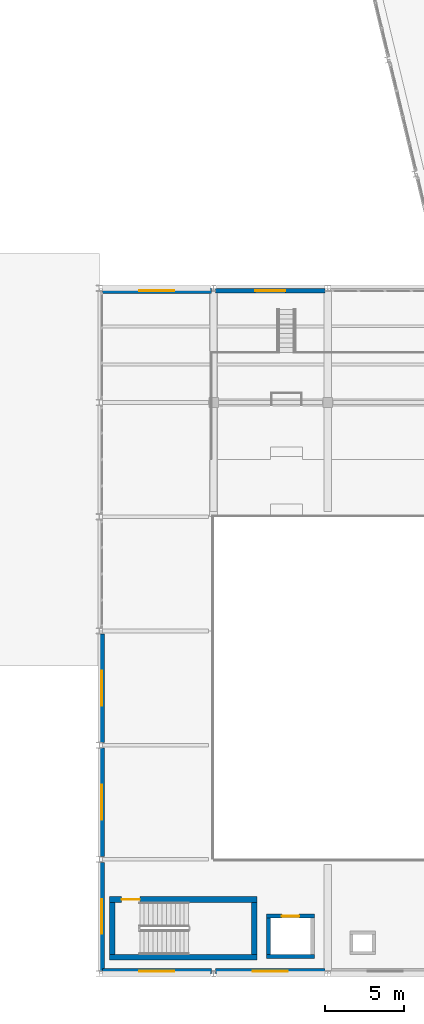
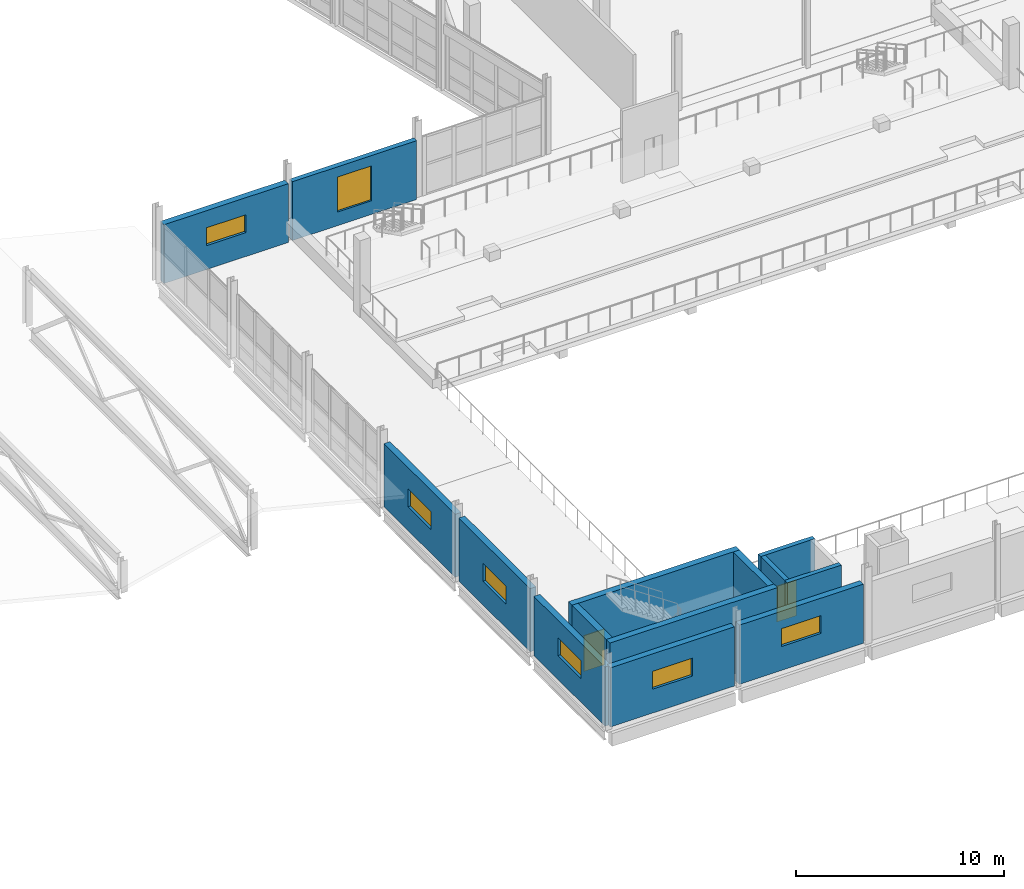
# One storey, part 92 of 123: 14 walls, 7 windows, 2 doors, 9 openings.
"""IFC4 building model written with IfcOpenShell, lengths in metres."""

from ifc_helpers import new_model, si_unit, direction, frame, frame_2d, origin, place, context, subcontext, project, spatial, rectangle, extrude, material, layer, layer_set, type_object, element, fill, save


model = new_model("IFC4")

# Units and contexts
model_context = context("Model", 3, precision=1e-05, world=origin(), true_north=direction((0.0, 1.0)))
body_context = subcontext(model_context, "Body", "Model", "MODEL_VIEW")
ifc_project = project(units=[si_unit("LENGTHUNIT", "METRE"), si_unit("AREAUNIT", "SQUARE_METRE"), si_unit("VOLUMEUNIT", "CUBIC_METRE"), si_unit("PLANEANGLEUNIT", "RADIAN"), si_unit("MASSUNIT", "GRAM", prefix="KILO")], contexts=[model_context])

# Site, building, storey
site_placement = place(None, origin())
site = spatial("IfcSite", under=ifc_project, at=site_placement, CompositionType="ELEMENT")
building_placement = place(site_placement, origin())
building = spatial("IfcBuilding", under=site, at=building_placement, Name="Kalmorath City Hall", CompositionType="ELEMENT")
storey_placement = place(building_placement, frame((0.0, 0.0, 10.199951171875)))
storey = spatial("IfcBuildingStorey", under=building, at=storey_placement, Name="L02", CompositionType="ELEMENT", Elevation=10.199951171875)

# Wall, opening, window
ifc_material_1 = material(Name="Precast concrete C40/50", Category="concrete")
ifc_layer_1 = layer(ifc_material_1, 0.340087890625)
ifc_layer_set_1 = layer_set([ifc_layer_1], Name="Precast concrete C40/50")
wall_type_1 = type_object("IfcWallType", Name="Chamber acoustic precast wall 340", PredefinedType="SOLIDWALL", material=ifc_layer_set_1)
wall_1_placement = place(storey_placement, frame((129.41455078125, 0.159912109375, 0.0), z_axis=(0.0, 0.0, 1.0), x_axis=(-1.0, 0.0, 0.0)))
wall_1 = element("IfcWall", 1, at=wall_1_placement, inside=storey, type_object=wall_type_1, Name="L02 chamber acoustic wall #464", PredefinedType="SOLIDWALL", context=body_context, shape_type="SweptSolid", body=[
    extrude(rectangle(XDim=6.885498046875, YDim=0.340087890625, at=frame_2d((3.44287109375, 0.0))), origin(), (0.0, 0.0, 1.0), 3.470947265625),
])
opening_1_placement = place(wall_1_placement, frame((2.3427734375, 0.0, 1.39990234375)))
opening_1 = element("IfcOpeningElement", 2, at=opening_1_placement, cuts=wall_1, Name="Opening WN12", PredefinedType="OPENING", context=body_context, shape_type="SweptSolid", body=[
    extrude(rectangle(XDim=2.199951171875, YDim=1.050048828125, at=frame_2d((1.10009765625, 0.52490234375))), frame((0.0, 0.179931640625, 0.0), z_axis=(0.0, -1.0, 0.0), x_axis=(1.0, 0.0, 0.0)), (0.0, 0.0, 1.0), 0.360107421875),
])
ifc_material_2 = material(Name="Acoustic laminated glass", Category="glass")
window_type_1 = type_object("IfcWindowType", Name="Chamber clerestory acoustic window 2200x1050", PartitioningType="SINGLE_PANEL", PredefinedType="WINDOW", material=ifc_material_2)
window_1_placement = place(opening_1_placement, origin())
window_1 = element("IfcWindow", 3, at=window_1_placement, inside=storey, type_object=window_type_1, Name="L02 window WN12-239", OverallHeight=1.050048828125, OverallWidth=2.199951171875, PartitioningType="SINGLE_PANEL", PredefinedType="WINDOW", context=body_context, shape_type="SweptSolid", body=[
    extrude(rectangle(XDim=2.199951171875, YDim=1.050048828125, at=frame_2d((1.10009765625, 0.52490234375))), frame((0.0, 0.030029296875, 0.0), z_axis=(0.0, -1.0, 0.0), x_axis=(1.0, 0.0, 0.0)), (0.0, 0.0, 1.0), 0.06005859375),
])
fill(opening_1, window_1)

wall_2_placement = place(storey_placement, frame((122.27099609375, 0.159912109375, 0.0), z_axis=(0.0, 0.0, 1.0), x_axis=(-1.0, 0.0, 0.0)))
wall_2 = element("IfcWall", 4, at=wall_2_placement, inside=storey, type_object=wall_type_1, Name="L02 chamber acoustic wall #465", PredefinedType="SOLIDWALL", context=body_context, shape_type="SweptSolid", body=[
    extrude(rectangle(XDim=6.885498046875, YDim=0.340087890625, at=frame_2d((3.44287109375, 0.0))), origin(), (0.0, 0.0, 1.0), 3.470947265625),
])
opening_2_placement = place(wall_2_placement, frame((2.3427734375, 0.0, 1.39990234375)))
opening_2 = element("IfcOpeningElement", 5, at=opening_2_placement, cuts=wall_2, Name="Opening WN12", PredefinedType="OPENING", context=body_context, shape_type="SweptSolid", body=[
    extrude(rectangle(XDim=2.199951171875, YDim=1.050048828125, at=frame_2d((1.10009765625, 0.52490234375))), frame((0.0, 0.179931640625, 0.0), z_axis=(0.0, -1.0, 0.0), x_axis=(1.0, 0.0, 0.0)), (0.0, 0.0, 1.0), 0.360107421875),
])
window_2_placement = place(opening_2_placement, origin())
window_2 = element("IfcWindow", 6, at=window_2_placement, inside=storey, type_object=window_type_1, Name="L02 window WN12-240", OverallHeight=1.050048828125, OverallWidth=2.199951171875, PartitioningType="SINGLE_PANEL", PredefinedType="WINDOW", context=body_context, shape_type="SweptSolid", body=[
    extrude(rectangle(XDim=2.199951171875, YDim=1.050048828125, at=frame_2d((1.10009765625, 0.52490234375))), frame((0.0, 0.030029296875, 0.0), z_axis=(0.0, -1.0, 0.0), x_axis=(1.0, 0.0, 0.0)), (0.0, 0.0, 1.0), 0.06005859375),
])
fill(opening_2, window_2)

wall_3_placement = place(storey_placement, frame((115.360107421875, 0.178955078125, 0.0), z_axis=(0.0, 0.0, 1.0), x_axis=(0.0, 1.0, 0.0)))
wall_3 = element("IfcWall", 7, at=wall_3_placement, inside=storey, type_object=wall_type_1, Name="L02 chamber acoustic wall #466", PredefinedType="SOLIDWALL", context=body_context, shape_type="SweptSolid", body=[
    extrude(rectangle(XDim=6.842041015625, YDim=0.340087890625, at=frame_2d((3.4208984375, 0.0))), origin(), (0.0, 0.0, 1.0), 3.470947265625),
])
opening_3_placement = place(wall_3_placement, frame((2.321044921875, 0.0, 1.39990234375)))
opening_3 = element("IfcOpeningElement", 8, at=opening_3_placement, cuts=wall_3, Name="Opening WN12", PredefinedType="OPENING", context=body_context, shape_type="SweptSolid", body=[
    extrude(rectangle(XDim=2.199951171875, YDim=1.050048828125, at=frame_2d((1.10009765625, 0.52490234375))), frame((0.0, 0.179931640625, 0.0), z_axis=(0.0, -1.0, 0.0), x_axis=(1.0, 0.0, 0.0)), (0.0, 0.0, 1.0), 0.360107421875),
])
window_3_placement = place(opening_3_placement, origin())
window_3 = element("IfcWindow", 9, at=window_3_placement, inside=storey, type_object=window_type_1, Name="L02 window WN12-241", OverallHeight=1.050048828125, OverallWidth=2.199951171875, PartitioningType="SINGLE_PANEL", PredefinedType="WINDOW", context=body_context, shape_type="SweptSolid", body=[
    extrude(rectangle(XDim=2.199951171875, YDim=1.050048828125, at=frame_2d((1.10009765625, 0.52490234375))), frame((0.0, 0.030029296875, 0.0), z_axis=(0.0, -1.0, 0.0), x_axis=(1.0, 0.0, 0.0)), (0.0, 0.0, 1.0), 0.06005859375),
])
fill(opening_3, window_3)

wall_4_placement = place(storey_placement, frame((115.360107421875, 7.37890625, 0.0), z_axis=(0.0, 0.0, 1.0), x_axis=(0.0, 1.0, 0.0)))
wall_4 = element("IfcWall", 10, at=wall_4_placement, inside=storey, type_object=wall_type_1, Name="L02 chamber acoustic wall #467", PredefinedType="SOLIDWALL", context=body_context, shape_type="SweptSolid", body=[
    extrude(rectangle(XDim=6.842041015625, YDim=0.340087890625, at=frame_2d((3.4208984375, 0.0))), origin(), (0.0, 0.0, 1.0), 3.696044921875),
])
opening_4_placement = place(wall_4_placement, frame((2.321044921875, 0.0, 1.39990234375)))
opening_4 = element("IfcOpeningElement", 11, at=opening_4_placement, cuts=wall_4, Name="Opening WN12", PredefinedType="OPENING", context=body_context, shape_type="SweptSolid", body=[
    extrude(rectangle(XDim=2.199951171875, YDim=1.050048828125, at=frame_2d((1.10009765625, 0.52490234375))), frame((0.0, 0.179931640625, 0.0), z_axis=(0.0, -1.0, 0.0), x_axis=(1.0, 0.0, 0.0)), (0.0, 0.0, 1.0), 0.360107421875),
])
window_4_placement = place(opening_4_placement, origin())
window_4 = element("IfcWindow", 12, at=window_4_placement, inside=storey, type_object=window_type_1, Name="L02 window WN12-242", OverallHeight=1.050048828125, OverallWidth=2.199951171875, PartitioningType="SINGLE_PANEL", PredefinedType="WINDOW", context=body_context, shape_type="SweptSolid", body=[
    extrude(rectangle(XDim=2.199951171875, YDim=1.050048828125, at=frame_2d((1.10009765625, 0.52490234375))), frame((0.0, 0.030029296875, 0.0), z_axis=(0.0, -1.0, 0.0), x_axis=(1.0, 0.0, 0.0)), (0.0, 0.0, 1.0), 0.06005859375),
])
fill(opening_4, window_4)

wall_5_placement = place(storey_placement, frame((115.360107421875, 14.5791015625, 0.0), z_axis=(0.0, 0.0, 1.0), x_axis=(0.0, 1.0, 0.0)))
wall_5 = element("IfcWall", 13, at=wall_5_placement, inside=storey, type_object=wall_type_1, Name="L02 chamber acoustic wall #468", PredefinedType="SOLIDWALL", context=body_context, shape_type="SweptSolid", body=[
    extrude(rectangle(XDim=6.841796875, YDim=0.340087890625, at=frame_2d((3.4208984375, 0.0))), origin(), (0.0, 0.0, 1.0), 3.696044921875),
])
opening_5_placement = place(wall_5_placement, frame((2.321044921875, 0.0, 1.39990234375)))
opening_5 = element("IfcOpeningElement", 14, at=opening_5_placement, cuts=wall_5, Name="Opening WN12", PredefinedType="OPENING", context=body_context, shape_type="SweptSolid", body=[
    extrude(rectangle(XDim=2.199951171875, YDim=1.050048828125, at=frame_2d((1.10009765625, 0.52490234375))), frame((0.0, 0.179931640625, 0.0), z_axis=(0.0, -1.0, 0.0), x_axis=(1.0, 0.0, 0.0)), (0.0, 0.0, 1.0), 0.360107421875),
])
window_5_placement = place(opening_5_placement, origin())
window_5 = element("IfcWindow", 15, at=window_5_placement, inside=storey, type_object=window_type_1, Name="L02 window WN12-243", OverallHeight=1.050048828125, OverallWidth=2.199951171875, PartitioningType="SINGLE_PANEL", PredefinedType="WINDOW", context=body_context, shape_type="SweptSolid", body=[
    extrude(rectangle(XDim=2.199951171875, YDim=1.050048828125, at=frame_2d((1.10009765625, 0.52490234375))), frame((0.0, 0.030029296875, 0.0), z_axis=(0.0, -1.0, 0.0), x_axis=(1.0, 0.0, 0.0)), (0.0, 0.0, 1.0), 0.06005859375),
])
fill(opening_5, window_5)

wall_6_placement = place(storey_placement, frame((115.385498046875, 43.0400390625, 0.0), z_axis=(0.0, 0.0, 1.0), x_axis=(1.0, 0.0, 0.0)))
wall_6 = element("IfcWall", 16, at=wall_6_placement, inside=storey, type_object=wall_type_1, Name="L02 chamber acoustic wall #469", PredefinedType="SOLIDWALL", context=body_context, shape_type="SweptSolid", body=[
    extrude(rectangle(XDim=6.885498046875, YDim=0.340087890625, at=frame_2d((3.44287109375, 0.0))), origin(), (0.0, 0.0, 1.0), 3.450927734375),
])
opening_6_placement = place(wall_6_placement, frame((2.3427734375, 0.0, 1.39990234375)))
opening_6 = element("IfcOpeningElement", 17, at=opening_6_placement, cuts=wall_6, Name="Opening WN12", PredefinedType="OPENING", context=body_context, shape_type="SweptSolid", body=[
    extrude(rectangle(XDim=2.199951171875, YDim=1.050048828125, at=frame_2d((1.10009765625, 0.52490234375))), frame((0.0, 0.179931640625, 0.0), z_axis=(0.0, -1.0, 0.0), x_axis=(1.0, 0.0, 0.0)), (0.0, 0.0, 1.0), 0.360107421875),
])
window_6_placement = place(opening_6_placement, origin())
window_6 = element("IfcWindow", 18, at=window_6_placement, inside=storey, type_object=window_type_1, Name="L02 window WN12-244", OverallHeight=1.050048828125, OverallWidth=2.199951171875, PartitioningType="SINGLE_PANEL", PredefinedType="WINDOW", context=body_context, shape_type="SweptSolid", body=[
    extrude(rectangle(XDim=2.199951171875, YDim=1.050048828125, at=frame_2d((1.10009765625, 0.52490234375))), frame((0.0, 0.030029296875, 0.0), z_axis=(0.0, -1.0, 0.0), x_axis=(1.0, 0.0, 0.0)), (0.0, 0.0, 1.0), 0.06005859375),
])
fill(opening_6, window_6)

# Wall
ifc_material_3 = material(Name="Concrete C50/60", Category="concrete")
ifc_layer_2 = layer(ifc_material_3, 0.35009765625)
ifc_layer_set_2 = layer_set([ifc_layer_2], Name="Concrete C50/60")
wall_type_2 = type_object("IfcWallType", Name="Concrete core shear wall 350", PredefinedType="SHEAR", material=ifc_layer_set_2)
wall_7_placement = place(storey_placement, frame((115.85009765625, 1.02490234375, 0.0), z_axis=(0.0, 0.0, 1.0), x_axis=(1.0, 0.0, 0.0)))
element("IfcWall", 19, at=wall_7_placement, inside=storey, type_object=wall_type_2, Name="L02 C5 stair core shear wall S", PredefinedType="SHEAR", context=body_context, shape_type="SweptSolid", body=[
    extrude(rectangle(XDim=9.2998046875, YDim=0.35009765625, at=frame_2d((4.64990234375, 0.0))), origin(), (0.0, 0.0, 1.0), 4.239990234375),
])

# Wall, opening, door
wall_8_placement = place(storey_placement, frame((125.14990234375, 4.675048828125, 0.0), z_axis=(0.0, 0.0, 1.0), x_axis=(-1.0, 0.0, 0.0)))
wall_8 = element("IfcWall", 20, at=wall_8_placement, inside=storey, type_object=wall_type_2, Name="L02 C5 stair core shear wall N", PredefinedType="SHEAR", context=body_context, shape_type="SweptSolid", body=[
    extrude(rectangle(XDim=9.2998046875, YDim=0.35009765625, at=frame_2d((4.64990234375, 0.0))), origin(), (0.0, 0.0, 1.0), 4.239990234375),
])
opening_7_placement = place(wall_8_placement, frame((7.39990234375, 0.0, 0.0)))
opening_7 = element("IfcOpeningElement", 21, at=opening_7_placement, cuts=wall_8, Name="Opening D-L02-092", PredefinedType="OPENING", context=body_context, shape_type="SweptSolid", body=[
    extrude(rectangle(XDim=1.14990234375, YDim=2.10009765625, at=frame_2d((0.574951171875, 1.050048828125))), frame((0.0, 0.18505859375, 0.0), z_axis=(0.0, -1.0, 0.0), x_axis=(1.0, 0.0, 0.0)), (0.0, 0.0, 1.0), 0.3701171875),
])
ifc_material_4 = material(Name="Galvanised steel fire door", Category="steel")
door_type_1 = type_object("IfcDoorType", Name="Stair enclosure 90-min fire door 1150x2100", OperationType="NOTDEFINED", PredefinedType="DOOR", material=ifc_material_4)
door_1_placement = place(opening_7_placement, frame((1.14990234375, 0.0, 0.0), z_axis=(0.0, 0.0, 1.0), x_axis=(-1.0, 0.0, 0.0)))
door_1 = element("IfcDoor", 22, at=door_1_placement, inside=storey, type_object=door_type_1, Name="L02 door D-L02-092", OperationType="SINGLE_SWING_RIGHT", OverallHeight=2.10009765625, OverallWidth=1.14990234375, PredefinedType="DOOR", context=body_context, shape_type="SweptSolid", body=[
    extrude(rectangle(XDim=1.14990234375, YDim=2.10009765625, at=frame_2d((0.574951171875, 1.050048828125))), frame((0.0, 0.02490234375, 0.0), z_axis=(0.0, -1.0, 0.0), x_axis=(1.0, 0.0, 0.0)), (0.0, 0.0, 1.0), 0.050048828125),
])
fill(opening_7, door_1)

# Walls
for number, where, z_axis, x_axis, name in (
    (23, (116.02490234375, 4.5, 0.0), (0.0, 0.0, 1.0), (0.0, -1.0, 0.0), "L02 C5 stair core shear wall W"),
    (24, (124.97509765625, 1.199951171875, 0.0), (0.0, 0.0, 1.0), (0.0, 1.0, 0.0), "L02 C5 stair core shear wall E"),
):
    element("IfcWall", number, at=place(storey_placement, frame(where, z_axis=z_axis, x_axis=x_axis)), inside=storey, type_object=wall_type_2, Name=name, PredefinedType="SHEAR", context=body_context, shape_type="SweptSolid", body=[
        extrude(rectangle(XDim=3.300048828125, YDim=0.35009765625, at=frame_2d((1.64990234375, 0.0))), origin(), (0.0, 0.0, 1.0), 4.239990234375),
    ])
ifc_material_5 = material(Name="Concrete C50/60", Category="concrete")
ifc_layer_3 = layer(ifc_material_5, 0.25)
ifc_layer_set_3 = layer_set([ifc_layer_3], Name="Concrete C50/60")
wall_type_3 = type_object("IfcWallType", Name="Concrete lift shaft wall 250", PredefinedType="SHEAR", material=ifc_layer_set_3)
wall_9_placement = place(storey_placement, frame((125.75, 1.074951171875, 0.0), z_axis=(0.0, 0.0, 1.0), x_axis=(1.0, 0.0, 0.0)))
element("IfcWall", 25, at=wall_9_placement, inside=storey, type_object=wall_type_3, Name="L02 PL5 lift shaft wall -y", PredefinedType="SHEAR", context=body_context, shape_type="SweptSolid", body=[
    extrude(rectangle(XDim=3.0, YDim=0.25, at=frame_2d((1.5, 0.0))), origin(), (0.0, 0.0, 1.0), 4.239990234375),
])

# Wall, opening, door
wall_10_placement = place(storey_placement, frame((128.75, 3.625, 0.0), z_axis=(0.0, 0.0, 1.0), x_axis=(-1.0, 0.0, 0.0)))
wall_10 = element("IfcWall", 26, at=wall_10_placement, inside=storey, type_object=wall_type_3, Name="L02 PL5 lift shaft wall +y", PredefinedType="SHEAR", context=body_context, shape_type="SweptSolid", body=[
    extrude(rectangle(XDim=3.0, YDim=0.25, at=frame_2d((1.5, 0.0))), origin(), (0.0, 0.0, 1.0), 4.239990234375),
])
opening_8_placement = place(wall_10_placement, frame((0.949951171875, 0.0, 0.0)))
opening_8 = element("IfcOpeningElement", 27, at=opening_8_placement, cuts=wall_10, Name="Opening LD-096", PredefinedType="OPENING", context=body_context, shape_type="SweptSolid", body=[
    extrude(rectangle(XDim=1.10009765625, YDim=2.10009765625, at=frame_2d((0.550048828125, 1.050048828125))), frame((0.0, 0.135009765625, 0.0), z_axis=(0.0, -1.0, 0.0), x_axis=(1.0, 0.0, 0.0)), (0.0, 0.0, 1.0), 0.27001953125),
])
ifc_material_6 = material(Name="Stainless steel sliding landing door", Category="steel")
door_type_2 = type_object("IfcDoorType", Name="Passenger lift sliding landing door 1100x2100", OperationType="SLIDING_TO_LEFT", PredefinedType="DOOR", material=ifc_material_6)
door_2_placement = place(opening_8_placement, origin())
door_2 = element("IfcDoor", 28, at=door_2_placement, inside=storey, type_object=door_type_2, Name="L02 door LD-096", OperationType="SLIDING_TO_LEFT", OverallHeight=2.10009765625, OverallWidth=1.10009765625, PredefinedType="DOOR", context=body_context, shape_type="SweptSolid", body=[
    extrude(rectangle(XDim=1.10009765625, YDim=2.10009765625, at=frame_2d((0.550048828125, 1.050048828125))), frame((0.0, 0.02490234375, 0.0), z_axis=(0.0, -1.0, 0.0), x_axis=(1.0, 0.0, 0.0)), (0.0, 0.0, 1.0), 0.050048828125),
])
fill(opening_8, door_2)

# Wall
wall_11_placement = place(storey_placement, frame((125.875, 3.5, 0.0), z_axis=(0.0, 0.0, 1.0), x_axis=(0.0, -1.0, 0.0)))
element("IfcWall", 29, at=wall_11_placement, inside=storey, type_object=wall_type_3, Name="L02 PL5 lift shaft wall -x", PredefinedType="SHEAR", context=body_context, shape_type="SweptSolid", body=[
    extrude(rectangle(XDim=2.300048828125, YDim=0.25, at=frame_2d((1.14990234375, 0.0))), origin(), (0.0, 0.0, 1.0), 4.239990234375),
])

# Wall, opening, window
ifc_material_7 = material(Name="Precast concrete C40/50", Category="concrete")
ifc_layer_4 = layer(ifc_material_7, 0.27001953125)
ifc_layer_set_4 = layer_set([ifc_layer_4], Name="Precast concrete C40/50")
wall_type_4 = type_object("IfcWallType", Name="Library splayed facade wall 270", PredefinedType="SOLIDWALL", material=ifc_layer_set_4)
wall_12_placement = place(storey_placement, frame((122.529052734375, 43.0400390625, 0.0), z_axis=(0.0, 0.0, 1.0), x_axis=(1.0, 0.0, 0.0)))
wall_12 = element("IfcWall", 30, at=wall_12_placement, inside=storey, type_object=wall_type_4, Name="L02 library wall #470", PredefinedType="SOLIDWALL", context=body_context, shape_type="SweptSolid", body=[
    extrude(rectangle(XDim=6.885498046875, YDim=0.27001953125, at=frame_2d((3.44287109375, 0.0))), origin(), (0.0, 0.0, 1.0), 3.450927734375),
])
opening_9_placement = place(wall_12_placement, frame((2.49267578125, 0.0, 0.800048828125)))
opening_9 = element("IfcOpeningElement", 31, at=opening_9_placement, cuts=wall_12, Name="Opening WN14", PredefinedType="OPENING", context=body_context, shape_type="SweptSolid", body=[
    extrude(rectangle(XDim=1.89990234375, YDim=2.050048828125, at=frame_2d((0.949951171875, 1.02490234375))), frame((0.0, 0.14501953125, 0.0), z_axis=(0.0, -1.0, 0.0), x_axis=(1.0, 0.0, 0.0)), (0.0, 0.0, 1.0), 0.2900390625),
])
ifc_material_8 = material(Name="Bronze-anodised aluminium and glass", Category="aluminium")
window_type_2 = type_object("IfcWindowType", Name="Library reading alcove window 1900x2050", PartitioningType="SINGLE_PANEL", PredefinedType="WINDOW", material=ifc_material_8)
window_7_placement = place(opening_9_placement, origin())
window_7 = element("IfcWindow", 32, at=window_7_placement, inside=storey, type_object=window_type_2, Name="L02 window WN14-245", OverallHeight=2.050048828125, OverallWidth=1.89990234375, PartitioningType="SINGLE_PANEL", PredefinedType="WINDOW", context=body_context, shape_type="SweptSolid", body=[
    extrude(rectangle(XDim=1.89990234375, YDim=2.050048828125, at=frame_2d((0.949951171875, 1.02490234375))), frame((0.0, 0.030029296875, 0.0), z_axis=(0.0, -1.0, 0.0), x_axis=(1.0, 0.0, 0.0)), (0.0, 0.0, 1.0), 0.06005859375),
])
fill(opening_9, window_7)

save(model, "model.ifc")
